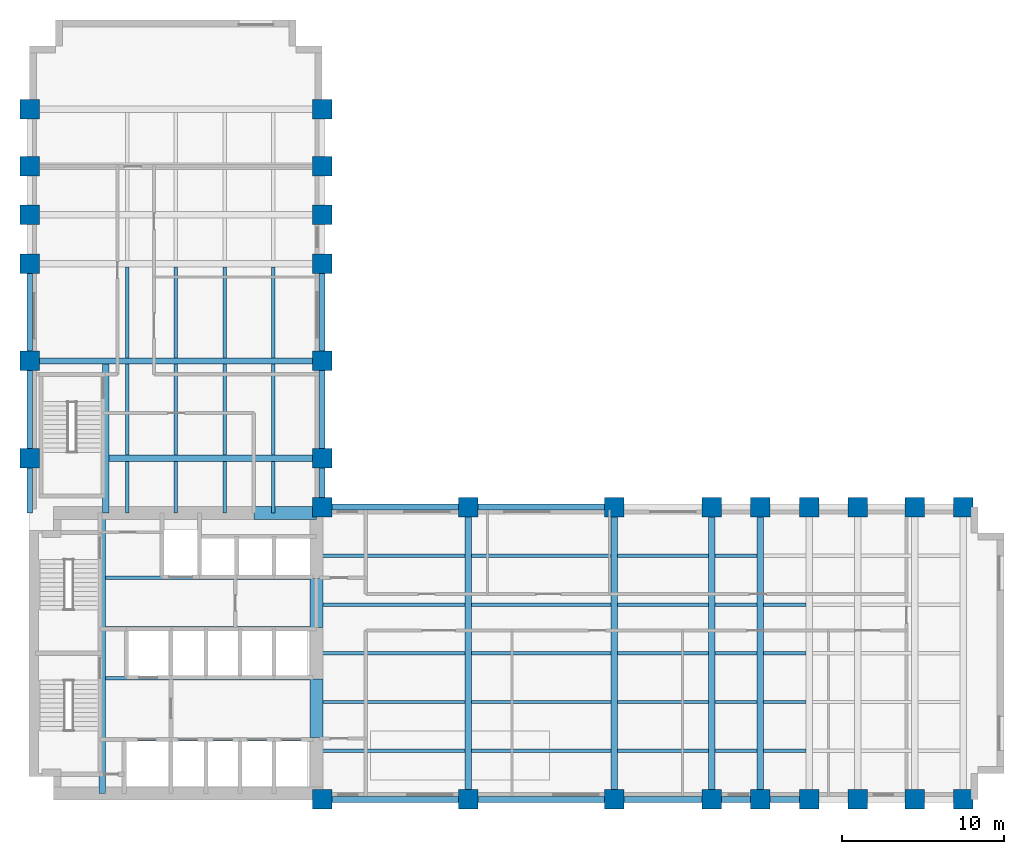
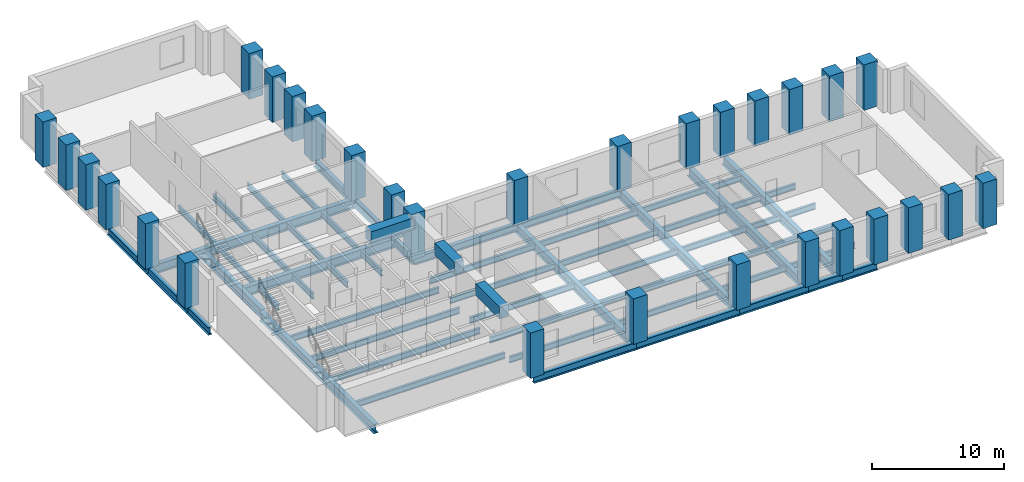
# One storey, part 1 of 7: 64 beams, 30 columns.
"""IFC4 building model written with IfcOpenShell, lengths in metres."""

import ifcopenshell
import ifcopenshell.guid

model = None  # the IFC model being written
_history = None  # IfcOwnerHistory: only IFC2X3 demands one
_inside = {}  # id of a spatial element -> (the spatial element, [elements in it])
_under = {}  # id of a project, library or spatial element -> (it, [spatial elements below it])
_declared = {}  # id of a project -> (the project, [libraries it declares])
_typed = {}  # id of a type object -> (the type object, [elements of that type])
_made_of = {}  # id of a material, layer set ... -> (it, [elements and type objects made of it])


def new_model(schema):
    """Start an empty IFC model of exactly this schema.

    Asked for "IFC4X3", IfcOpenShell would pick the latest addendum, in which some entities
    have other attributes; the version numbers below select the first issue.
    IFC2X3 requires an IfcOwnerHistory on every rooted entity: one is made here for all.
    """
    global model, _history
    if schema == "IFC4X3":
        model = ifcopenshell.file(schema_version=(4, 3, 0, 0))
    else:
        model = ifcopenshell.file(schema=schema)
    _inside.clear()
    _under.clear()
    _declared.clear()
    _typed.clear()
    _made_of.clear()
    _history = None
    if model.schema == "IFC2X3":
        org = make("IfcOrganization", Name="unknown")
        user = make(
            "IfcPersonAndOrganization",
            ThePerson=make("IfcPerson", FamilyName="unknown"),
            TheOrganization=org,
        )
        app = make(
            "IfcApplication",
            ApplicationDeveloper=org,
            Version="unknown",
            ApplicationFullName="unknown",
            ApplicationIdentifier="unknown",
        )
        _history = make(
            "IfcOwnerHistory",
            OwningUser=user,
            OwningApplication=app,
            ChangeAction="ADDED",
            CreationDate=0,
        )
    return model


def make(cls, **values):
    """One entity of the class cls with the attributes given. An attribute that is None is left unset."""
    return model.create_entity(
        cls, **{name: value for name, value in values.items() if value is not None}
    )


def rooted(cls, **values):
    """An entity with a GlobalId (a new one), such as an element, a storey or a relation."""
    return make(cls, GlobalId=ifcopenshell.guid.new(), OwnerHistory=_history, **values)


def si_unit(unit_type, name, prefix=None):
    """IfcSIUnit, for example si_unit("LENGTHUNIT", "METRE", prefix="MILLI")."""
    return make("IfcSIUnit", UnitType=unit_type, Prefix=prefix, Name=name)


def assignment(units):
    """IfcUnitAssignment: the units of a project."""
    return None if units is None else make("IfcUnitAssignment", Units=units)


def point(xyz):
    """IfcCartesianPoint."""
    return None if xyz is None else make("IfcCartesianPoint", Coordinates=xyz)


def direction(xyz):
    """IfcDirection."""
    return None if xyz is None else make("IfcDirection", DirectionRatios=xyz)


def frame(location, z_axis=None, x_axis=None):
    """IfcAxis2Placement3D, a coordinate frame: its origin and axes. An axis left out is left unset."""
    return make(
        "IfcAxis2Placement3D",
        Location=point(location),
        Axis=direction(z_axis),
        RefDirection=direction(x_axis),
    )


def frame_2d(location, x_axis=None):
    """IfcAxis2Placement2D, a coordinate frame in the plane: its origin and x axis."""
    return make(
        "IfcAxis2Placement2D", Location=point(location), RefDirection=direction(x_axis)
    )


def origin():
    """The frame at (0, 0, 0) with its axes left unset."""
    return frame((0.0, 0.0, 0.0))


def origin_2d():
    """The frame at (0, 0) in the plane with its x axis left unset."""
    return frame_2d((0.0, 0.0))


def place(relative_to, where):
    """IfcLocalPlacement: puts the frame where relative to a parent placement (None: the world)."""
    return make(
        "IfcLocalPlacement", PlacementRelTo=relative_to, RelativePlacement=where
    )


def context(
    kind, dimensions, precision=None, world=None, true_north=None, identifier=None
):
    """IfcGeometricRepresentationContext, for example the 3D "Model" context."""
    return make(
        "IfcGeometricRepresentationContext",
        ContextIdentifier=identifier,
        ContextType=kind,
        CoordinateSpaceDimension=dimensions,
        Precision=precision,
        WorldCoordinateSystem=world,
        TrueNorth=true_north,
    )


def subcontext(parent, identifier, kind, view, scale=None):
    """IfcGeometricRepresentationSubContext, for example "Body" below "Model"."""
    return make(
        "IfcGeometricRepresentationSubContext",
        ContextIdentifier=identifier,
        ContextType=kind,
        ParentContext=parent,
        TargetScale=scale,
        TargetView=view,
    )


def project(units=None, contexts=None):
    """IfcProject with its units and contexts."""
    return rooted(
        "IfcProject",
        Name="project",
        RepresentationContexts=contexts,
        UnitsInContext=assignment(units),
    )


def spatial(cls, under=None, at=None, **own):
    """A site, building, storey or space (cls), placed at a placement, below another one or the project."""
    s = rooted(cls, ObjectPlacement=at, **own)
    if under is not None:
        _under.setdefault(under.id(), (under, []))[1].append(s)
    return s


def profile(cls, at=None, kind="AREA", **sizes):
    """A parametric profile (cls). Its sizes go by their IFC names, for example OverallWidth=200.0."""
    return make(cls, ProfileType=kind, Position=at, **sizes)


def rectangle(**sizes):
    """IfcRectangleProfileDef."""
    return profile("IfcRectangleProfileDef", **sizes)


def i_section(**sizes):
    """IfcIShapeProfileDef."""
    return profile("IfcIShapeProfileDef", **sizes)


def extrude(swept, where, along, depth):
    """IfcExtrudedAreaSolid: the profile swept, set in the frame where, extruded along a direction by depth."""
    return make(
        "IfcExtrudedAreaSolid",
        SweptArea=swept,
        Position=where,
        ExtrudedDirection=direction(along),
        Depth=depth,
    )


def shape(context_of_items, identifier, shape_type, items):
    """IfcShapeRepresentation: the items that make up one representation, for example the "Body"."""
    return make(
        "IfcShapeRepresentation",
        ContextOfItems=context_of_items,
        RepresentationIdentifier=identifier,
        RepresentationType=shape_type,
        Items=items,
    )


def material(Name=None, Category=None):
    """IfcMaterial."""
    return make("IfcMaterial", Name=Name, Category=Category)


def material_profile(
    of_material, cross_section, Name=None, Category=None, Priority=None
):
    """IfcMaterialProfile: a cross section and its material."""
    return make(
        "IfcMaterialProfile",
        Name=Name,
        Material=of_material,
        Profile=cross_section,
        Priority=Priority,
        Category=Category,
    )


def profile_set(profiles, Name=None, composite=None):
    """IfcMaterialProfileSet."""
    return make(
        "IfcMaterialProfileSet",
        Name=Name,
        MaterialProfiles=profiles,
        CompositeProfile=composite,
    )


def made_of(thing, what):
    """Note that an element or type object is made of a material, layer set ...; save() writes the relation."""
    if what is not None:
        _made_of.setdefault(what.id(), (what, []))[1].append(thing)
    return thing


def type_object(cls, material=None, **own):
    """A type object (cls), such as IfcWallType, which elements share."""
    return made_of(rooted(cls, **own), material)


def element(
    cls,
    number,
    at=None,
    inside=None,
    cuts=None,
    type_object=None,
    material=None,
    context=None,
    identifier="Body",
    shape_type=None,
    held_by="IfcProductDefinitionShape",
    body=None,
    shapes=None,
    **own,
):
    """One element of the class cls, such as IfcWall. Its Tag is "e" and its number.

    at: its placement. inside: the storey or other place that contains it. cuts: it is an
    opening in that element (IfcRelVoidsElement). A single representation is given by context,
    identifier, shape_type and body (its items); several are given by shapes. held_by: the class
    of the entity that holds the representations. save() writes the other relations.
    """
    e = rooted(cls, Tag="e%d" % number, ObjectPlacement=at, **own)
    if body is not None:
        shapes = [shape(context, identifier, shape_type, body)]
    if shapes is not None:
        e.Representation = make(held_by, Representations=shapes)
    if inside is not None:
        _inside.setdefault(inside.id(), (inside, []))[1].append(e)
    if cuts is not None:
        rooted(
            "IfcRelVoidsElement", RelatingBuildingElement=cuts, RelatedOpeningElement=e
        )
    if type_object is not None:
        _typed.setdefault(type_object.id(), (type_object, []))[1].append(e)
    return made_of(e, material)


def aggregate(whole, parts):
    """IfcRelAggregates: a whole, such as a stair, and the parts it consists of."""
    return rooted("IfcRelAggregates", RelatingObject=whole, RelatedObjects=parts)


def save(model, path):
    """Write the relations noted so far, then the file.

    IfcRelAggregates (storeys below a building ...), IfcRelContainedInSpatialStructure (elements
    in a storey), IfcRelDefinesByType, IfcRelAssociatesMaterial and IfcRelDeclares: one each for
    every whole, place, type object, material and project.
    """
    for whole, parts in _under.values():
        aggregate(whole, parts)
    for where, things in _inside.values():
        rooted(
            "IfcRelContainedInSpatialStructure",
            RelatedElements=things,
            RelatingStructure=where,
        )
    for kind, things in _typed.values():
        rooted("IfcRelDefinesByType", RelatedObjects=things, RelatingType=kind)
    for what, things in _made_of.values():
        rooted("IfcRelAssociatesMaterial", RelatedObjects=things, RelatingMaterial=what)
    for by, libraries in _declared.values():
        rooted("IfcRelDeclares", RelatingContext=by, RelatedDefinitions=libraries)
    model.write(path)


model = new_model("IFC4")

# Units and contexts
model_context = context("Model", 3, precision=1e-05, world=origin(), true_north=direction((0.0, 1.0)))
body_context = subcontext(model_context, "Body", "Model", "MODEL_VIEW")
ifc_project = project(units=[si_unit("LENGTHUNIT", "METRE"), si_unit("AREAUNIT", "SQUARE_METRE"), si_unit("VOLUMEUNIT", "CUBIC_METRE"), si_unit("PLANEANGLEUNIT", "RADIAN"), si_unit("MASSUNIT", "GRAM", prefix="KILO")], contexts=[model_context])

# Site, building, storey
site_placement = place(None, origin())
site = spatial("IfcSite", under=ifc_project, at=site_placement, CompositionType="ELEMENT")
building_placement = place(site_placement, origin())
building = spatial("IfcBuilding", under=site, at=building_placement, Name="Mawjdan Bourse Tower", CompositionType="ELEMENT")
storey_placement = place(building_placement, frame((0.0, 0.0, 46.800048828125)))
storey = spatial("IfcBuildingStorey", under=building, at=storey_placement, Name="L10", CompositionType="ELEMENT", Elevation=46.800048828125)

# Columns
ifc_material_1 = material(Name="Concrete C80/95", Category="concrete")
ifc_material_profile_1 = material_profile(ifc_material_1, rectangle(XDim=1.199951171875, YDim=1.199951171875, at=origin_2d()), Name="RC1200X1200")
ifc_profile_set_1 = profile_set([ifc_material_profile_1], Name="Concrete C80/95")
column_type = type_object("IfcColumnType", Name="COL-RC1200X1200", PredefinedType="COLUMN", material=ifc_profile_set_1)
for number, where, z_axis, x_axis, name in (
    (1, (24.0, 3.0, 0.0), (0.0, 0.0, 1.0), (1.0, 0.0, 0.0), "L10 Structural Column C-X240-Y30"),
    (2, (24.0, 21.0, 0.0), (0.0, 0.0, 1.0), (1.0, 0.0, 0.0), "L10 Structural Column C-X240-Y210"),
    (3, (33.0, 3.0, 0.0), (0.0, 0.0, 1.0), (1.0, 0.0, 0.0), "L10 Structural Column C-X330-Y30"),
    (4, (33.0, 21.0, 0.0), (0.0, 0.0, 1.0), (1.0, 0.0, 0.0), "L10 Structural Column C-X330-Y210"),
    (5, (42.0, 3.0, 0.0), (0.0, 0.0, 1.0), (1.0, 0.0, 0.0), "L10 Structural Column C-X420-Y30"),
    (6, (42.0, 21.0, 0.0), (0.0, 0.0, 1.0), (1.0, 0.0, 0.0), "L10 Structural Column C-X420-Y210"),
    (7, (48.0, 3.0, 0.0), (0.0, 0.0, 1.0), (1.0, 0.0, 0.0), "L10 Structural Column C-X480-Y30"),
    (8, (48.0, 21.0, 0.0), (0.0, 0.0, 1.0), (1.0, 0.0, 0.0), "L10 Structural Column C-X480-Y210"),
    (9, (51.0, 3.0, 0.0), (0.0, 0.0, 1.0), (1.0, 0.0, 0.0), "L10 Structural Column C-X510-Y30"),
    (10, (51.0, 21.0, 0.0), (0.0, 0.0, 1.0), (1.0, 0.0, 0.0), "L10 Structural Column C-X510-Y210"),
    (11, (54.0, 3.0, 0.0), (0.0, 0.0, 1.0), (1.0, 0.0, 0.0), "L10 Structural Column C-X540-Y30"),
    (12, (54.0, 21.0, 0.0), (0.0, 0.0, 1.0), (1.0, 0.0, 0.0), "L10 Structural Column C-X540-Y210"),
    (13, (57.0, 3.0, 0.0), (0.0, 0.0, 1.0), (1.0, 0.0, 0.0), "L10 Structural Column C-X570-Y30"),
    (14, (57.0, 21.0, 0.0), (0.0, 0.0, 1.0), (1.0, 0.0, 0.0), "L10 Structural Column C-X570-Y210"),
    (15, (60.5, 3.0, 0.0), (0.0, 0.0, 1.0), (1.0, 0.0, 0.0), "L10 Structural Column C-X605-Y30"),
    (16, (60.5, 21.0, 0.0), (0.0, 0.0, 1.0), (1.0, 0.0, 0.0), "L10 Structural Column C-X605-Y210"),
    (17, (63.5, 3.0, 0.0), (0.0, 0.0, 1.0), (1.0, 0.0, 0.0), "L10 Structural Column C-X635-Y30"),
    (18, (63.5, 21.0, 0.0), (0.0, 0.0, 1.0), (1.0, 0.0, 0.0), "L10 Structural Column C-X635-Y210"),
    (19, (6.0, 24.0, 0.0), (0.0, 0.0, 1.0), (1.0, 0.0, 0.0), "L10 Structural Column C-X60-Y240"),
    (20, (24.0, 24.0, 0.0), (0.0, 0.0, 1.0), (1.0, 0.0, 0.0), "L10 Structural Column C-X240-Y240"),
    (21, (6.0, 30.0, 0.0), (0.0, 0.0, 1.0), (1.0, 0.0, 0.0), "L10 Structural Column C-X60-Y300"),
    (22, (24.0, 30.0, 0.0), (0.0, 0.0, 1.0), (1.0, 0.0, 0.0), "L10 Structural Column C-X240-Y300"),
    (23, (6.0, 36.0, 0.0), (0.0, 0.0, 1.0), (1.0, 0.0, 0.0), "L10 Structural Column C-X60-Y360"),
    (24, (24.0, 36.0, 0.0), (0.0, 0.0, 1.0), (1.0, 0.0, 0.0), "L10 Structural Column C-X240-Y360"),
    (25, (6.0, 39.0, 0.0), (0.0, 0.0, 1.0), (1.0, 0.0, 0.0), "L10 Structural Column C-X60-Y390"),
    (26, (24.0, 39.0, 0.0), (0.0, 0.0, 1.0), (1.0, 0.0, 0.0), "L10 Structural Column C-X240-Y390"),
    (27, (6.0, 42.0, 0.0), (0.0, 0.0, 1.0), (1.0, 0.0, 0.0), "L10 Structural Column C-X60-Y420"),
    (28, (24.0, 42.0, 0.0), (0.0, 0.0, 1.0), (1.0, 0.0, 0.0), "L10 Structural Column C-X240-Y420"),
    (29, (6.0, 45.5, 0.0), (0.0, 0.0, 1.0), (1.0, 0.0, 0.0), "L10 Structural Column C-X60-Y455"),
    (30, (24.0, 45.5, 0.0), (0.0, 0.0, 1.0), (1.0, 0.0, 0.0), "L10 Structural Column C-X240-Y455"),
):
    element("IfcColumn", number, at=place(storey_placement, frame(where, z_axis=z_axis, x_axis=x_axis)), inside=storey, type_object=column_type, Name=name, PredefinedType="COLUMN", context=body_context, shape_type="SweptSolid", body=[
        extrude(rectangle(XDim=1.199951171875, YDim=1.199951171875, at=origin_2d()), origin(), (0.0, 0.0, 1.0), 4.199951171875),
    ])

# Beams
ifc_material_2 = material(Name="Structural Steel S355", Category="steel")
ifc_material_profile_2 = material_profile(ifc_material_2, i_section(OverallWidth=0.39892578125, OverallDepth=0.85595703125, WebThickness=0.018310546875, FlangeThickness=0.029296875, FilletRadius=0.0234375, at=origin_2d()), Name="W33X201")
ifc_profile_set_2 = profile_set([ifc_material_profile_2], Name="Structural Steel S355")
beam_type_1 = type_object("IfcBeamType", Name="GRD-W33X201", PredefinedType="BEAM", material=ifc_profile_set_2)
beam_1_placement = place(storey_placement, frame((10.47998046875, 3.35009765625, -0.64794921875), z_axis=(0.0, 1.0, 0.0), x_axis=(-1.0, 0.0, 0.0)))
element("IfcBeam", 31, at=beam_1_placement, inside=storey, type_object=beam_type_1, Name="L10 Core Stair Trimmer Girder 001", PredefinedType="BEAM", context=body_context, shape_type="SweptSolid", body=[
    extrude(i_section(OverallWidth=0.39892578125, OverallDepth=0.85595703125, WebThickness=0.018310546875, FlangeThickness=0.029296875, FilletRadius=0.0234375, at=origin_2d()), origin(), (0.0, 0.0, 1.0), 17.2998046875),
])
for number, where, z_axis, x_axis, name in (
    (32, (33.0, 3.0, -0.64794921875), (0.0, 1.0, 0.0), (-1.0, 0.0, 0.0), "L10 East Wing Clear-Span Girder 002"),
    (33, (42.0, 3.0, -0.64794921875), (0.0, 1.0, 0.0), (-1.0, 0.0, 0.0), "L10 East Wing Clear-Span Girder 003"),
    (34, (48.0, 3.0, -0.64794921875), (0.0, 1.0, 0.0), (-1.0, 0.0, 0.0), "L10 East Wing Clear-Span Girder 004"),
    (35, (51.0, 3.0, -0.64794921875), (0.0, 1.0, 0.0), (-1.0, 0.0, 0.0), "L10 East Wing Clear-Span Girder 005"),
):
    element("IfcBeam", number, at=place(storey_placement, frame(where, z_axis=z_axis, x_axis=x_axis)), inside=storey, type_object=beam_type_1, Name=name, PredefinedType="BEAM", context=body_context, shape_type="SweptSolid", body=[
        extrude(i_section(OverallWidth=0.39892578125, OverallDepth=0.85595703125, WebThickness=0.018310546875, FlangeThickness=0.029296875, FilletRadius=0.0234375, at=origin_2d()), origin(), (0.0, 0.0, 1.0), 18.0),
    ])
beam_2_placement = place(storey_placement, frame((10.679931640625, 20.64990234375, -0.64794921875), z_axis=(0.0, 1.0, 0.0), x_axis=(-1.0, 0.0, 0.0)))
element("IfcBeam", 36, at=beam_2_placement, inside=storey, type_object=beam_type_1, Name="L10 North Wing Stair Trimmer Girder 070", PredefinedType="BEAM", context=body_context, shape_type="SweptSolid", body=[
    extrude(i_section(OverallWidth=0.39892578125, OverallDepth=0.85595703125, WebThickness=0.018310546875, FlangeThickness=0.029296875, FilletRadius=0.0234375, at=origin_2d()), origin(), (0.0, 0.0, 1.0), 9.152587890625),
])
beam_3_placement = place(storey_placement, frame((10.87744140625, 24.0, -0.64794921875), z_axis=(1.0, 0.0, 0.0), x_axis=(0.0, 1.0, 0.0)))
element("IfcBeam", 37, at=beam_3_placement, inside=storey, type_object=beam_type_1, Name="L10 North Wing Clear-Span Girder 071", PredefinedType="BEAM", context=body_context, shape_type="SweptSolid", body=[
    extrude(i_section(OverallWidth=0.39892578125, OverallDepth=0.85595703125, WebThickness=0.018310546875, FlangeThickness=0.029296875, FilletRadius=0.0234375, at=origin_2d()), origin(), (0.0, 0.0, 1.0), 13.12255859375),
])
beam_4_placement = place(storey_placement, frame((6.0, 30.0, -0.64794921875), z_axis=(1.0, 0.0, 0.0), x_axis=(0.0, 1.0, 0.0)))
element("IfcBeam", 38, at=beam_4_placement, inside=storey, type_object=beam_type_1, Name="L10 North Wing Clear-Span Girder 072", PredefinedType="BEAM", context=body_context, shape_type="SweptSolid", body=[
    extrude(i_section(OverallWidth=0.39892578125, OverallDepth=0.85595703125, WebThickness=0.018310546875, FlangeThickness=0.029296875, FilletRadius=0.0234375, at=origin_2d()), origin(), (0.0, 0.0, 1.0), 18.0),
])
ifc_material_profile_3 = material_profile(ifc_material_2, i_section(OverallWidth=0.2119140625, OverallDepth=0.5439453125, WebThickness=0.01318359375, FlangeThickness=0.021240234375, FilletRadius=0.01708984375, at=origin_2d()), Name="W21X83")
ifc_profile_set_3 = profile_set([ifc_material_profile_3], Name="Structural Steel S355")
beam_type_2 = type_object("IfcBeamType", Name="JST-W21X83", PredefinedType="JOIST", material=ifc_profile_set_3)
beam_5_placement = place(storey_placement, frame((23.64990234375, 6.0, -0.491943359375), z_axis=(1.0, 0.0, 0.0), x_axis=(0.0, 1.0, 0.0)))
element("IfcBeam", 39, at=beam_5_placement, inside=storey, type_object=beam_type_2, Name="L10 East Wing Composite Joist 026", PredefinedType="JOIST", context=body_context, shape_type="SweptSolid", body=[
    extrude(i_section(OverallWidth=0.2119140625, OverallDepth=0.5439453125, WebThickness=0.01318359375, FlangeThickness=0.021240234375, FilletRadius=0.01708984375, at=origin_2d()), origin(), (0.0, 0.0, 1.0), 9.152587890625),
])
beam_6_placement = place(storey_placement, frame((33.197509765625, 6.0, -0.491943359375), z_axis=(1.0, 0.0, 0.0), x_axis=(0.0, 1.0, 0.0)))
element("IfcBeam", 40, at=beam_6_placement, inside=storey, type_object=beam_type_2, Name="L10 East Wing Composite Joist 027", PredefinedType="JOIST", context=body_context, shape_type="SweptSolid", body=[
    extrude(i_section(OverallWidth=0.2119140625, OverallDepth=0.5439453125, WebThickness=0.01318359375, FlangeThickness=0.021240234375, FilletRadius=0.01708984375, at=origin_2d()), origin(), (0.0, 0.0, 1.0), 8.60498046875),
])
beam_7_placement = place(storey_placement, frame((42.197509765625, 6.0, -0.491943359375), z_axis=(1.0, 0.0, 0.0), x_axis=(0.0, 1.0, 0.0)))
element("IfcBeam", 41, at=beam_7_placement, inside=storey, type_object=beam_type_2, Name="L10 East Wing Composite Joist 028", PredefinedType="JOIST", context=body_context, shape_type="SweptSolid", body=[
    extrude(i_section(OverallWidth=0.2119140625, OverallDepth=0.5439453125, WebThickness=0.01318359375, FlangeThickness=0.021240234375, FilletRadius=0.01708984375, at=origin_2d()), origin(), (0.0, 0.0, 1.0), 5.60498046875),
])
for number, where, z_axis, x_axis, name in (
    (42, (48.197509765625, 6.0, -0.491943359375), (1.0, 0.0, 0.0), (0.0, 1.0, 0.0), "L10 East Wing Composite Joist 029"),
    (43, (51.197509765625, 6.0, -0.491943359375), (1.0, 0.0, 0.0), (0.0, 1.0, 0.0), "L10 East Wing Composite Joist 030"),
):
    element("IfcBeam", number, at=place(storey_placement, frame(where, z_axis=z_axis, x_axis=x_axis)), inside=storey, type_object=beam_type_2, Name=name, PredefinedType="JOIST", context=body_context, shape_type="SweptSolid", body=[
        extrude(i_section(OverallWidth=0.2119140625, OverallDepth=0.5439453125, WebThickness=0.01318359375, FlangeThickness=0.021240234375, FilletRadius=0.01708984375, at=origin_2d()), origin(), (0.0, 0.0, 1.0), 2.60498046875),
    ])
beam_8_placement = place(storey_placement, frame((23.64990234375, 9.0, -0.491943359375), z_axis=(1.0, 0.0, 0.0), x_axis=(0.0, 1.0, 0.0)))
element("IfcBeam", 44, at=beam_8_placement, inside=storey, type_object=beam_type_2, Name="L10 East Wing Composite Joist 034", PredefinedType="JOIST", context=body_context, shape_type="SweptSolid", body=[
    extrude(i_section(OverallWidth=0.2119140625, OverallDepth=0.5439453125, WebThickness=0.01318359375, FlangeThickness=0.021240234375, FilletRadius=0.01708984375, at=origin_2d()), origin(), (0.0, 0.0, 1.0), 9.152587890625),
])
beam_9_placement = place(storey_placement, frame((33.197509765625, 9.0, -0.491943359375), z_axis=(1.0, 0.0, 0.0), x_axis=(0.0, 1.0, 0.0)))
element("IfcBeam", 45, at=beam_9_placement, inside=storey, type_object=beam_type_2, Name="L10 East Wing Composite Joist 035", PredefinedType="JOIST", context=body_context, shape_type="SweptSolid", body=[
    extrude(i_section(OverallWidth=0.2119140625, OverallDepth=0.5439453125, WebThickness=0.01318359375, FlangeThickness=0.021240234375, FilletRadius=0.01708984375, at=origin_2d()), origin(), (0.0, 0.0, 1.0), 8.60498046875),
])
beam_10_placement = place(storey_placement, frame((42.197509765625, 9.0, -0.491943359375), z_axis=(1.0, 0.0, 0.0), x_axis=(0.0, 1.0, 0.0)))
element("IfcBeam", 46, at=beam_10_placement, inside=storey, type_object=beam_type_2, Name="L10 East Wing Composite Joist 036", PredefinedType="JOIST", context=body_context, shape_type="SweptSolid", body=[
    extrude(i_section(OverallWidth=0.2119140625, OverallDepth=0.5439453125, WebThickness=0.01318359375, FlangeThickness=0.021240234375, FilletRadius=0.01708984375, at=origin_2d()), origin(), (0.0, 0.0, 1.0), 5.60498046875),
])
for number, where, z_axis, x_axis, name in (
    (47, (48.197509765625, 9.0, -0.491943359375), (1.0, 0.0, 0.0), (0.0, 1.0, 0.0), "L10 East Wing Composite Joist 037"),
    (48, (51.197509765625, 9.0, -0.491943359375), (1.0, 0.0, 0.0), (0.0, 1.0, 0.0), "L10 East Wing Composite Joist 038"),
):
    element("IfcBeam", number, at=place(storey_placement, frame(where, z_axis=z_axis, x_axis=x_axis)), inside=storey, type_object=beam_type_2, Name=name, PredefinedType="JOIST", context=body_context, shape_type="SweptSolid", body=[
        extrude(i_section(OverallWidth=0.2119140625, OverallDepth=0.5439453125, WebThickness=0.01318359375, FlangeThickness=0.021240234375, FilletRadius=0.01708984375, at=origin_2d()), origin(), (0.0, 0.0, 1.0), 2.60498046875),
    ])
beam_11_placement = place(storey_placement, frame((23.64990234375, 12.0, -0.491943359375), z_axis=(1.0, 0.0, 0.0), x_axis=(0.0, 1.0, 0.0)))
element("IfcBeam", 49, at=beam_11_placement, inside=storey, type_object=beam_type_2, Name="L10 East Wing Composite Joist 042", PredefinedType="JOIST", context=body_context, shape_type="SweptSolid", body=[
    extrude(i_section(OverallWidth=0.2119140625, OverallDepth=0.5439453125, WebThickness=0.01318359375, FlangeThickness=0.021240234375, FilletRadius=0.01708984375, at=origin_2d()), origin(), (0.0, 0.0, 1.0), 9.152587890625),
])
beam_12_placement = place(storey_placement, frame((33.197509765625, 12.0, -0.491943359375), z_axis=(1.0, 0.0, 0.0), x_axis=(0.0, 1.0, 0.0)))
element("IfcBeam", 50, at=beam_12_placement, inside=storey, type_object=beam_type_2, Name="L10 East Wing Composite Joist 043", PredefinedType="JOIST", context=body_context, shape_type="SweptSolid", body=[
    extrude(i_section(OverallWidth=0.2119140625, OverallDepth=0.5439453125, WebThickness=0.01318359375, FlangeThickness=0.021240234375, FilletRadius=0.01708984375, at=origin_2d()), origin(), (0.0, 0.0, 1.0), 8.60498046875),
])
beam_13_placement = place(storey_placement, frame((42.197509765625, 12.0, -0.491943359375), z_axis=(1.0, 0.0, 0.0), x_axis=(0.0, 1.0, 0.0)))
element("IfcBeam", 51, at=beam_13_placement, inside=storey, type_object=beam_type_2, Name="L10 East Wing Composite Joist 044", PredefinedType="JOIST", context=body_context, shape_type="SweptSolid", body=[
    extrude(i_section(OverallWidth=0.2119140625, OverallDepth=0.5439453125, WebThickness=0.01318359375, FlangeThickness=0.021240234375, FilletRadius=0.01708984375, at=origin_2d()), origin(), (0.0, 0.0, 1.0), 5.60498046875),
])
for number, where, z_axis, x_axis, name in (
    (52, (48.197509765625, 12.0, -0.491943359375), (1.0, 0.0, 0.0), (0.0, 1.0, 0.0), "L10 East Wing Composite Joist 045"),
    (53, (51.197509765625, 12.0, -0.491943359375), (1.0, 0.0, 0.0), (0.0, 1.0, 0.0), "L10 East Wing Composite Joist 046"),
):
    element("IfcBeam", number, at=place(storey_placement, frame(where, z_axis=z_axis, x_axis=x_axis)), inside=storey, type_object=beam_type_2, Name=name, PredefinedType="JOIST", context=body_context, shape_type="SweptSolid", body=[
        extrude(i_section(OverallWidth=0.2119140625, OverallDepth=0.5439453125, WebThickness=0.01318359375, FlangeThickness=0.021240234375, FilletRadius=0.01708984375, at=origin_2d()), origin(), (0.0, 0.0, 1.0), 2.60498046875),
    ])
beam_14_placement = place(storey_placement, frame((23.64990234375, 15.0, -0.491943359375), z_axis=(1.0, 0.0, 0.0), x_axis=(0.0, 1.0, 0.0)))
element("IfcBeam", 54, at=beam_14_placement, inside=storey, type_object=beam_type_2, Name="L10 East Wing Composite Joist 050", PredefinedType="JOIST", context=body_context, shape_type="SweptSolid", body=[
    extrude(i_section(OverallWidth=0.2119140625, OverallDepth=0.5439453125, WebThickness=0.01318359375, FlangeThickness=0.021240234375, FilletRadius=0.01708984375, at=origin_2d()), origin(), (0.0, 0.0, 1.0), 9.152587890625),
])
beam_15_placement = place(storey_placement, frame((33.197509765625, 15.0, -0.491943359375), z_axis=(1.0, 0.0, 0.0), x_axis=(0.0, 1.0, 0.0)))
element("IfcBeam", 55, at=beam_15_placement, inside=storey, type_object=beam_type_2, Name="L10 East Wing Composite Joist 051", PredefinedType="JOIST", context=body_context, shape_type="SweptSolid", body=[
    extrude(i_section(OverallWidth=0.2119140625, OverallDepth=0.5439453125, WebThickness=0.01318359375, FlangeThickness=0.021240234375, FilletRadius=0.01708984375, at=origin_2d()), origin(), (0.0, 0.0, 1.0), 8.60498046875),
])
beam_16_placement = place(storey_placement, frame((42.197509765625, 15.0, -0.491943359375), z_axis=(1.0, 0.0, 0.0), x_axis=(0.0, 1.0, 0.0)))
element("IfcBeam", 56, at=beam_16_placement, inside=storey, type_object=beam_type_2, Name="L10 East Wing Composite Joist 052", PredefinedType="JOIST", context=body_context, shape_type="SweptSolid", body=[
    extrude(i_section(OverallWidth=0.2119140625, OverallDepth=0.5439453125, WebThickness=0.01318359375, FlangeThickness=0.021240234375, FilletRadius=0.01708984375, at=origin_2d()), origin(), (0.0, 0.0, 1.0), 5.60498046875),
])
for number, where, z_axis, x_axis, name in (
    (57, (48.197509765625, 15.0, -0.491943359375), (1.0, 0.0, 0.0), (0.0, 1.0, 0.0), "L10 East Wing Composite Joist 053"),
    (58, (51.197509765625, 15.0, -0.491943359375), (1.0, 0.0, 0.0), (0.0, 1.0, 0.0), "L10 East Wing Composite Joist 054"),
):
    element("IfcBeam", number, at=place(storey_placement, frame(where, z_axis=z_axis, x_axis=x_axis)), inside=storey, type_object=beam_type_2, Name=name, PredefinedType="JOIST", context=body_context, shape_type="SweptSolid", body=[
        extrude(i_section(OverallWidth=0.2119140625, OverallDepth=0.5439453125, WebThickness=0.01318359375, FlangeThickness=0.021240234375, FilletRadius=0.01708984375, at=origin_2d()), origin(), (0.0, 0.0, 1.0), 2.60498046875),
    ])
beam_17_placement = place(storey_placement, frame((23.64990234375, 18.0, -0.491943359375), z_axis=(1.0, 0.0, 0.0), x_axis=(0.0, 1.0, 0.0)))
element("IfcBeam", 59, at=beam_17_placement, inside=storey, type_object=beam_type_2, Name="L10 East Wing Composite Joist 058", PredefinedType="JOIST", context=body_context, shape_type="SweptSolid", body=[
    extrude(i_section(OverallWidth=0.2119140625, OverallDepth=0.5439453125, WebThickness=0.01318359375, FlangeThickness=0.021240234375, FilletRadius=0.01708984375, at=origin_2d()), origin(), (0.0, 0.0, 1.0), 9.152587890625),
])
beam_18_placement = place(storey_placement, frame((33.197509765625, 18.0, -0.491943359375), z_axis=(1.0, 0.0, 0.0), x_axis=(0.0, 1.0, 0.0)))
element("IfcBeam", 60, at=beam_18_placement, inside=storey, type_object=beam_type_2, Name="L10 East Wing Composite Joist 059", PredefinedType="JOIST", context=body_context, shape_type="SweptSolid", body=[
    extrude(i_section(OverallWidth=0.2119140625, OverallDepth=0.5439453125, WebThickness=0.01318359375, FlangeThickness=0.021240234375, FilletRadius=0.01708984375, at=origin_2d()), origin(), (0.0, 0.0, 1.0), 8.60498046875),
])
beam_19_placement = place(storey_placement, frame((42.197509765625, 18.0, -0.491943359375), z_axis=(1.0, 0.0, 0.0), x_axis=(0.0, 1.0, 0.0)))
element("IfcBeam", 61, at=beam_19_placement, inside=storey, type_object=beam_type_2, Name="L10 East Wing Composite Joist 060", PredefinedType="JOIST", context=body_context, shape_type="SweptSolid", body=[
    extrude(i_section(OverallWidth=0.2119140625, OverallDepth=0.5439453125, WebThickness=0.01318359375, FlangeThickness=0.021240234375, FilletRadius=0.01708984375, at=origin_2d()), origin(), (0.0, 0.0, 1.0), 5.60498046875),
])
beam_20_placement = place(storey_placement, frame((48.197509765625, 18.0, -0.491943359375), z_axis=(1.0, 0.0, 0.0), x_axis=(0.0, 1.0, 0.0)))
element("IfcBeam", 62, at=beam_20_placement, inside=storey, type_object=beam_type_2, Name="L10 East Wing Composite Joist 061", PredefinedType="JOIST", context=body_context, shape_type="SweptSolid", body=[
    extrude(i_section(OverallWidth=0.2119140625, OverallDepth=0.5439453125, WebThickness=0.01318359375, FlangeThickness=0.021240234375, FilletRadius=0.01708984375, at=origin_2d()), origin(), (0.0, 0.0, 1.0), 2.60498046875),
])
for number, where, z_axis, x_axis, name in (
    (63, (10.677490234375, 6.699951171875, -0.491943359375), (1.0, 0.0, 0.0), (0.0, 1.0, 0.0), "L10 Core Floor Joist 066"),
    (64, (10.677490234375, 10.449951171875, -0.491943359375), (1.0, 0.0, 0.0), (0.0, 1.0, 0.0), "L10 Core Floor Joist 067"),
    (65, (10.677490234375, 13.550048828125, -0.491943359375), (1.0, 0.0, 0.0), (0.0, 1.0, 0.0), "L10 Core Floor Joist 068"),
    (66, (10.677490234375, 16.64990234375, -0.491943359375), (1.0, 0.0, 0.0), (0.0, 1.0, 0.0), "L10 Core Floor Joist 069"),
):
    element("IfcBeam", number, at=place(storey_placement, frame(where, z_axis=z_axis, x_axis=x_axis)), inside=storey, type_object=beam_type_2, Name=name, PredefinedType="JOIST", context=body_context, shape_type="SweptSolid", body=[
        extrude(i_section(OverallWidth=0.2119140625, OverallDepth=0.5439453125, WebThickness=0.01318359375, FlangeThickness=0.021240234375, FilletRadius=0.01708984375, at=origin_2d()), origin(), (0.0, 0.0, 1.0), 12.972412109375),
    ])
beam_21_placement = place(storey_placement, frame((12.0, 20.64990234375, -0.491943359375), z_axis=(0.0, 1.0, 0.0), x_axis=(-1.0, 0.0, 0.0)))
element("IfcBeam", 67, at=beam_21_placement, inside=storey, type_object=beam_type_2, Name="L10 North Wing Composite Joist 089", PredefinedType="JOIST", context=body_context, shape_type="SweptSolid", body=[
    extrude(i_section(OverallWidth=0.2119140625, OverallDepth=0.5439453125, WebThickness=0.01318359375, FlangeThickness=0.021240234375, FilletRadius=0.01708984375, at=origin_2d()), origin(), (0.0, 0.0, 1.0), 3.152587890625),
])
for number, where, z_axis, x_axis, name in (
    (68, (12.0, 24.197509765625, -0.491943359375), (0.0, 1.0, 0.0), (-1.0, 0.0, 0.0), "L10 North Wing Composite Joist 090"),
    (69, (12.0, 30.197509765625, -0.491943359375), (0.0, 1.0, 0.0), (-1.0, 0.0, 0.0), "L10 North Wing Composite Joist 091"),
):
    element("IfcBeam", number, at=place(storey_placement, frame(where, z_axis=z_axis, x_axis=x_axis)), inside=storey, type_object=beam_type_2, Name=name, PredefinedType="JOIST", context=body_context, shape_type="SweptSolid", body=[
        extrude(i_section(OverallWidth=0.2119140625, OverallDepth=0.5439453125, WebThickness=0.01318359375, FlangeThickness=0.021240234375, FilletRadius=0.01708984375, at=origin_2d()), origin(), (0.0, 0.0, 1.0), 5.60498046875),
    ])
beam_22_placement = place(storey_placement, frame((15.0, 20.64990234375, -0.491943359375), z_axis=(0.0, 1.0, 0.0), x_axis=(-1.0, 0.0, 0.0)))
element("IfcBeam", 70, at=beam_22_placement, inside=storey, type_object=beam_type_2, Name="L10 North Wing Composite Joist 095", PredefinedType="JOIST", context=body_context, shape_type="SweptSolid", body=[
    extrude(i_section(OverallWidth=0.2119140625, OverallDepth=0.5439453125, WebThickness=0.01318359375, FlangeThickness=0.021240234375, FilletRadius=0.01708984375, at=origin_2d()), origin(), (0.0, 0.0, 1.0), 3.152587890625),
])
for number, where, z_axis, x_axis, name in (
    (71, (15.0, 24.197509765625, -0.491943359375), (0.0, 1.0, 0.0), (-1.0, 0.0, 0.0), "L10 North Wing Composite Joist 096"),
    (72, (15.0, 30.197509765625, -0.491943359375), (0.0, 1.0, 0.0), (-1.0, 0.0, 0.0), "L10 North Wing Composite Joist 097"),
):
    element("IfcBeam", number, at=place(storey_placement, frame(where, z_axis=z_axis, x_axis=x_axis)), inside=storey, type_object=beam_type_2, Name=name, PredefinedType="JOIST", context=body_context, shape_type="SweptSolid", body=[
        extrude(i_section(OverallWidth=0.2119140625, OverallDepth=0.5439453125, WebThickness=0.01318359375, FlangeThickness=0.021240234375, FilletRadius=0.01708984375, at=origin_2d()), origin(), (0.0, 0.0, 1.0), 5.60498046875),
    ])
beam_23_placement = place(storey_placement, frame((18.0, 20.64990234375, -0.491943359375), z_axis=(0.0, 1.0, 0.0), x_axis=(-1.0, 0.0, 0.0)))
element("IfcBeam", 73, at=beam_23_placement, inside=storey, type_object=beam_type_2, Name="L10 North Wing Composite Joist 101", PredefinedType="JOIST", context=body_context, shape_type="SweptSolid", body=[
    extrude(i_section(OverallWidth=0.2119140625, OverallDepth=0.5439453125, WebThickness=0.01318359375, FlangeThickness=0.021240234375, FilletRadius=0.01708984375, at=origin_2d()), origin(), (0.0, 0.0, 1.0), 3.152587890625),
])
for number, where, z_axis, x_axis, name in (
    (74, (18.0, 24.197509765625, -0.491943359375), (0.0, 1.0, 0.0), (-1.0, 0.0, 0.0), "L10 North Wing Composite Joist 102"),
    (75, (18.0, 30.197509765625, -0.491943359375), (0.0, 1.0, 0.0), (-1.0, 0.0, 0.0), "L10 North Wing Composite Joist 103"),
):
    element("IfcBeam", number, at=place(storey_placement, frame(where, z_axis=z_axis, x_axis=x_axis)), inside=storey, type_object=beam_type_2, Name=name, PredefinedType="JOIST", context=body_context, shape_type="SweptSolid", body=[
        extrude(i_section(OverallWidth=0.2119140625, OverallDepth=0.5439453125, WebThickness=0.01318359375, FlangeThickness=0.021240234375, FilletRadius=0.01708984375, at=origin_2d()), origin(), (0.0, 0.0, 1.0), 5.60498046875),
    ])
beam_24_placement = place(storey_placement, frame((21.0, 20.64990234375, -0.491943359375), z_axis=(0.0, 1.0, 0.0), x_axis=(-1.0, 0.0, 0.0)))
element("IfcBeam", 76, at=beam_24_placement, inside=storey, type_object=beam_type_2, Name="L10 North Wing Composite Joist 107", PredefinedType="JOIST", context=body_context, shape_type="SweptSolid", body=[
    extrude(i_section(OverallWidth=0.2119140625, OverallDepth=0.5439453125, WebThickness=0.01318359375, FlangeThickness=0.021240234375, FilletRadius=0.01708984375, at=origin_2d()), origin(), (0.0, 0.0, 1.0), 3.152587890625),
])
for number, where, z_axis, x_axis, name in (
    (77, (21.0, 24.197509765625, -0.491943359375), (0.0, 1.0, 0.0), (-1.0, 0.0, 0.0), "L10 North Wing Composite Joist 108"),
    (78, (21.0, 30.197509765625, -0.491943359375), (0.0, 1.0, 0.0), (-1.0, 0.0, 0.0), "L10 North Wing Composite Joist 109"),
):
    element("IfcBeam", number, at=place(storey_placement, frame(where, z_axis=z_axis, x_axis=x_axis)), inside=storey, type_object=beam_type_2, Name=name, PredefinedType="JOIST", context=body_context, shape_type="SweptSolid", body=[
        extrude(i_section(OverallWidth=0.2119140625, OverallDepth=0.5439453125, WebThickness=0.01318359375, FlangeThickness=0.021240234375, FilletRadius=0.01708984375, at=origin_2d()), origin(), (0.0, 0.0, 1.0), 5.60498046875),
    ])
ifc_material_3 = material(Name="Concrete C70/85", Category="concrete")
ifc_material_profile_4 = material_profile(ifc_material_3, rectangle(XDim=0.800048828125, YDim=1.10009765625, at=origin_2d()), Name="RCB800X1100")
ifc_profile_set_4 = profile_set([ifc_material_profile_4], Name="Concrete C70/85")
beam_type_3 = type_object("IfcBeamType", Name="LNT-RCB800X1100", PredefinedType="LINTEL", material=ifc_profile_set_4)
beam_25_placement = place(storey_placement, frame((23.64990234375, 6.800048828125, 3.429931640625), z_axis=(0.0, 1.0, 0.0), x_axis=(-1.0, 0.0, 0.0)))
element("IfcBeam", 79, at=beam_25_placement, inside=storey, type_object=beam_type_3, Name="L10 Coupled Core Lintel CB-E1", PredefinedType="LINTEL", context=body_context, shape_type="SweptSolid", body=[
    extrude(rectangle(XDim=0.800048828125, YDim=1.10009765625, at=origin_2d()), origin(), (0.0, 0.0, 1.0), 3.599853515625),
])
beam_26_placement = place(storey_placement, frame((23.64990234375, 13.60009765625, 3.429931640625), z_axis=(0.0, 1.0, 0.0), x_axis=(-1.0, 0.0, 0.0)))
element("IfcBeam", 80, at=beam_26_placement, inside=storey, type_object=beam_type_3, Name="L10 Coupled Core Lintel CB-E2", PredefinedType="LINTEL", context=body_context, shape_type="SweptSolid", body=[
    extrude(rectangle(XDim=0.800048828125, YDim=1.10009765625, at=origin_2d()), origin(), (0.0, 0.0, 1.0), 3.0),
])
beam_27_placement = place(storey_placement, frame((19.800048828125, 20.64990234375, 3.429931640625), z_axis=(1.0, 0.0, 0.0), x_axis=(0.0, 1.0, 0.0)))
element("IfcBeam", 81, at=beam_27_placement, inside=storey, type_object=beam_type_3, Name="L10 Coupled Core Lintel CB-N1", PredefinedType="LINTEL", context=body_context, shape_type="SweptSolid", body=[
    extrude(rectangle(XDim=0.800048828125, YDim=1.10009765625, at=origin_2d()), origin(), (0.0, 0.0, 1.0), 3.849853515625),
])
ifc_material_profile_5 = material_profile(ifc_material_2, i_section(OverallWidth=0.35498046875, OverallDepth=0.696044921875, WebThickness=0.015380859375, FlangeThickness=0.02490234375, FilletRadius=0.019775390625, at=origin_2d()), Name="W27X146")
ifc_profile_set_5 = profile_set([ifc_material_profile_5], Name="Structural Steel S355")
beam_type_4 = type_object("IfcBeamType", Name="SPN-W27X146", PredefinedType="SPANDREL", material=ifc_profile_set_5)
for number, where, z_axis, x_axis, name in (
    (82, (24.0, 3.0, -0.568115234375), (1.0, 0.0, 0.0), (0.0, 1.0, 0.0), "L10 Perimeter Masonry-Shelf Spandrel 010"),
    (83, (33.0, 3.0, -0.568115234375), (1.0, 0.0, 0.0), (0.0, 1.0, 0.0), "L10 Perimeter Masonry-Shelf Spandrel 011"),
):
    element("IfcBeam", number, at=place(storey_placement, frame(where, z_axis=z_axis, x_axis=x_axis)), inside=storey, type_object=beam_type_4, Name=name, PredefinedType="SPANDREL", context=body_context, shape_type="SweptSolid", body=[
        extrude(i_section(OverallWidth=0.35498046875, OverallDepth=0.696044921875, WebThickness=0.015380859375, FlangeThickness=0.02490234375, FilletRadius=0.019775390625, at=origin_2d()), origin(), (0.0, 0.0, 1.0), 9.0),
    ])
beam_28_placement = place(storey_placement, frame((42.0, 3.0, -0.568115234375), z_axis=(1.0, 0.0, 0.0), x_axis=(0.0, 1.0, 0.0)))
element("IfcBeam", 84, at=beam_28_placement, inside=storey, type_object=beam_type_4, Name="L10 Perimeter Masonry-Shelf Spandrel 012", PredefinedType="SPANDREL", context=body_context, shape_type="SweptSolid", body=[
    extrude(i_section(OverallWidth=0.35498046875, OverallDepth=0.696044921875, WebThickness=0.015380859375, FlangeThickness=0.02490234375, FilletRadius=0.019775390625, at=origin_2d()), origin(), (0.0, 0.0, 1.0), 6.0),
])
for number, where, z_axis, x_axis, name in (
    (85, (48.0, 3.0, -0.568115234375), (1.0, 0.0, 0.0), (0.0, 1.0, 0.0), "L10 Perimeter Masonry-Shelf Spandrel 013"),
    (86, (51.0, 3.0, -0.568115234375), (1.0, 0.0, 0.0), (0.0, 1.0, 0.0), "L10 Perimeter Masonry-Shelf Spandrel 014"),
):
    element("IfcBeam", number, at=place(storey_placement, frame(where, z_axis=z_axis, x_axis=x_axis)), inside=storey, type_object=beam_type_4, Name=name, PredefinedType="SPANDREL", context=body_context, shape_type="SweptSolid", body=[
        extrude(i_section(OverallWidth=0.35498046875, OverallDepth=0.696044921875, WebThickness=0.015380859375, FlangeThickness=0.02490234375, FilletRadius=0.019775390625, at=origin_2d()), origin(), (0.0, 0.0, 1.0), 3.0),
    ])
for number, where, z_axis, x_axis, name in (
    (87, (24.0, 21.0, -0.568115234375), (1.0, 0.0, 0.0), (0.0, 1.0, 0.0), "L10 Perimeter Masonry-Shelf Spandrel 018"),
    (88, (33.0, 21.0, -0.568115234375), (1.0, 0.0, 0.0), (0.0, 1.0, 0.0), "L10 Perimeter Masonry-Shelf Spandrel 019"),
):
    element("IfcBeam", number, at=place(storey_placement, frame(where, z_axis=z_axis, x_axis=x_axis)), inside=storey, type_object=beam_type_4, Name=name, PredefinedType="SPANDREL", context=body_context, shape_type="SweptSolid", body=[
        extrude(i_section(OverallWidth=0.35498046875, OverallDepth=0.696044921875, WebThickness=0.015380859375, FlangeThickness=0.02490234375, FilletRadius=0.019775390625, at=origin_2d()), origin(), (0.0, 0.0, 1.0), 9.0),
    ])
beam_29_placement = place(storey_placement, frame((6.0, 20.64990234375, -0.568115234375), z_axis=(0.0, 1.0, 0.0), x_axis=(-1.0, 0.0, 0.0)))
element("IfcBeam", 89, at=beam_29_placement, inside=storey, type_object=beam_type_4, Name="L10 North Wing Spandrel 077", PredefinedType="SPANDREL", context=body_context, shape_type="SweptSolid", body=[
    extrude(i_section(OverallWidth=0.35498046875, OverallDepth=0.696044921875, WebThickness=0.015380859375, FlangeThickness=0.02490234375, FilletRadius=0.019775390625, at=origin_2d()), origin(), (0.0, 0.0, 1.0), 3.35009765625),
])
for number, where, z_axis, x_axis, name in (
    (90, (6.0, 24.0, -0.568115234375), (0.0, 1.0, 0.0), (-1.0, 0.0, 0.0), "L10 North Wing Spandrel 078"),
    (91, (6.0, 30.0, -0.568115234375), (0.0, 1.0, 0.0), (-1.0, 0.0, 0.0), "L10 North Wing Spandrel 079"),
):
    element("IfcBeam", number, at=place(storey_placement, frame(where, z_axis=z_axis, x_axis=x_axis)), inside=storey, type_object=beam_type_4, Name=name, PredefinedType="SPANDREL", context=body_context, shape_type="SweptSolid", body=[
        extrude(i_section(OverallWidth=0.35498046875, OverallDepth=0.696044921875, WebThickness=0.015380859375, FlangeThickness=0.02490234375, FilletRadius=0.019775390625, at=origin_2d()), origin(), (0.0, 0.0, 1.0), 6.0),
    ])
beam_30_placement = place(storey_placement, frame((24.0, 21.0, -0.568115234375), z_axis=(0.0, 1.0, 0.0), x_axis=(-1.0, 0.0, 0.0)))
element("IfcBeam", 92, at=beam_30_placement, inside=storey, type_object=beam_type_4, Name="L10 North Wing Spandrel 083", PredefinedType="SPANDREL", context=body_context, shape_type="SweptSolid", body=[
    extrude(i_section(OverallWidth=0.35498046875, OverallDepth=0.696044921875, WebThickness=0.015380859375, FlangeThickness=0.02490234375, FilletRadius=0.019775390625, at=origin_2d()), origin(), (0.0, 0.0, 1.0), 3.0),
])
for number, where, z_axis, x_axis, name in (
    (93, (24.0, 24.0, -0.568115234375), (0.0, 1.0, 0.0), (-1.0, 0.0, 0.0), "L10 North Wing Spandrel 084"),
    (94, (24.0, 30.0, -0.568115234375), (0.0, 1.0, 0.0), (-1.0, 0.0, 0.0), "L10 North Wing Spandrel 085"),
):
    element("IfcBeam", number, at=place(storey_placement, frame(where, z_axis=z_axis, x_axis=x_axis)), inside=storey, type_object=beam_type_4, Name=name, PredefinedType="SPANDREL", context=body_context, shape_type="SweptSolid", body=[
        extrude(i_section(OverallWidth=0.35498046875, OverallDepth=0.696044921875, WebThickness=0.015380859375, FlangeThickness=0.02490234375, FilletRadius=0.019775390625, at=origin_2d()), origin(), (0.0, 0.0, 1.0), 6.0),
    ])

save(model, "model.ifc")
